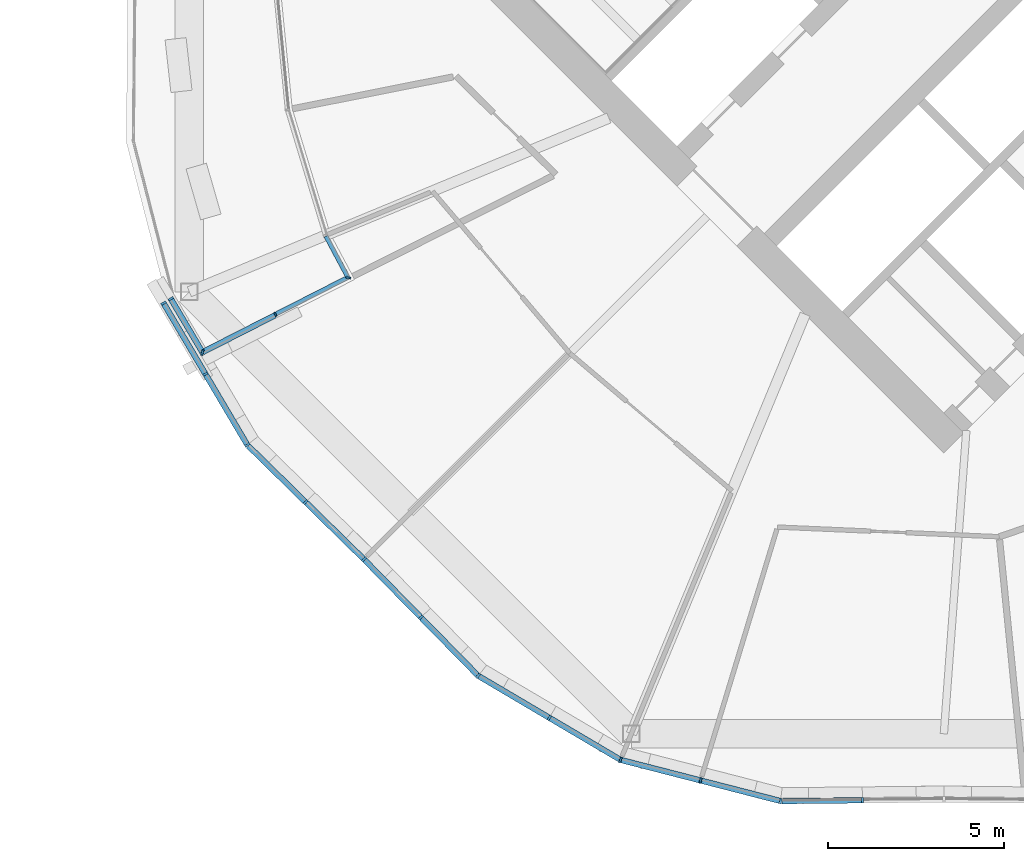
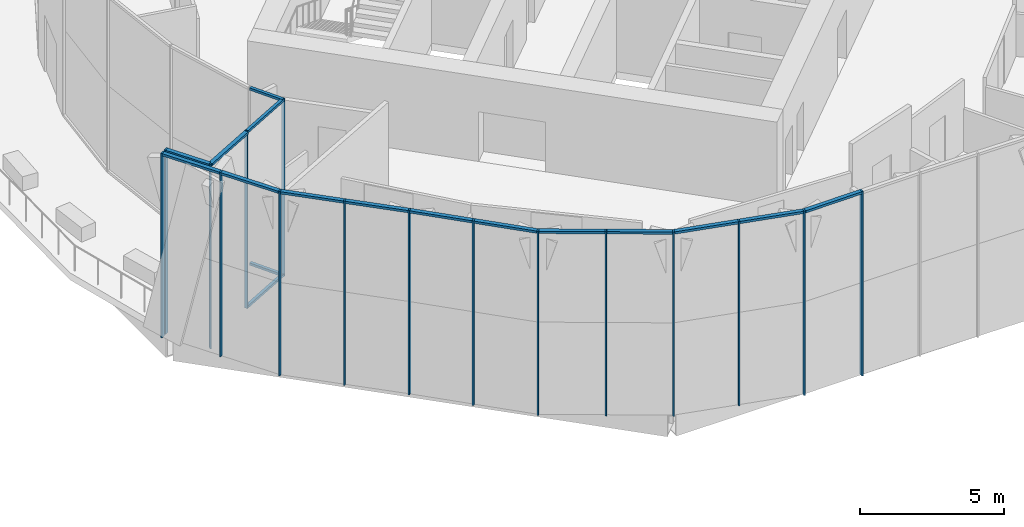
# One storey, part 9 of 31: 33 members, 4 elements without a shape of their own.
"""IFC4 building model written with IfcOpenShell, lengths in metres."""

from ifc_helpers import new_model, si_unit, direction, frame, origin, origin_2d, place, context, subcontext, project, spatial, rectangle, extrude, material, material_profile, profile_set, type_object, element, aggregate, save


model = new_model("IFC4")

# Units and contexts
model_context = context("Model", 3, precision=1e-05, world=origin(), true_north=direction((0.0, 1.0)))
body_context = subcontext(model_context, "Body", "Model", "MODEL_VIEW")
ifc_project = project(units=[si_unit("LENGTHUNIT", "METRE"), si_unit("AREAUNIT", "SQUARE_METRE"), si_unit("VOLUMEUNIT", "CUBIC_METRE"), si_unit("PLANEANGLEUNIT", "RADIAN"), si_unit("MASSUNIT", "GRAM", prefix="KILO")], contexts=[model_context])

# Site, building, storey
site_placement = place(None, origin())
site = spatial("IfcSite", under=ifc_project, at=site_placement, CompositionType="ELEMENT")
building_placement = place(site_placement, origin())
building = spatial("IfcBuilding", under=site, at=building_placement, Name="Ogive Gate Towers", CompositionType="ELEMENT")
storey_placement = place(building_placement, frame((0.0, 0.0, 107.39990234375)))
storey = spatial("IfcBuildingStorey", under=building, at=storey_placement, Name="L25", CompositionType="ELEMENT", Elevation=107.39990234375)

# Curtain wall, members
ifc_material = material(Name="Pale metal aluminium", Category="aluminium")
curtain_wall_type_1 = type_object("IfcCurtainWallType", Name="Sky garden glazing", PredefinedType="NOTDEFINED", material=ifc_material)
curtain_wall_1_placement = place(storey_placement, origin())
curtain_wall_1 = element("IfcCurtainWall", 1, at=curtain_wall_1_placement, inside=storey, type_object=curtain_wall_type_1, Name="CW4 T2 ECW02", PredefinedType="NOTDEFINED")
ifc_material_profile_1 = material_profile(ifc_material, rectangle(XDim=0.1201171875, YDim=0.050048828125, at=origin_2d()), Name="50 x 120 aluminium box")
ifc_profile_set_1 = profile_set([ifc_material_profile_1], Name="Pale metal aluminium")
member_type_1 = type_object("IfcMemberType", Name="Sky garden glazing mullion 50 x 120", PredefinedType="MULLION", material=ifc_profile_set_1)
member_1_placement = place(storey_placement, frame((17.042236328125, -9.502197265625, 0.0), z_axis=(0.0, 0.0, 1.0), x_axis=(0.45399049974, -0.891006524188, 0.0)))
member_1 = element("IfcMember", 2, at=member_1_placement, type_object=member_type_1, Name="CW4 mullion", PredefinedType="MULLION", context=body_context, shape_type="SweptSolid", body=[
    extrude(rectangle(XDim=0.1201171875, YDim=0.050048828125, at=origin_2d()), origin(), (0.0, 0.0, 1.0), 7.5),
])
member_2_placement = place(storey_placement, frame((19.11669921875, -8.458740234375, 0.0), z_axis=(0.0, 0.0, 1.0), x_axis=(0.954047017443, -0.299656951377, 0.0)))
member_2 = element("IfcMember", 3, at=member_2_placement, type_object=member_type_1, Name="CW4 mullion", PredefinedType="MULLION", context=body_context, shape_type="SweptSolid", body=[
    extrude(rectangle(XDim=0.1201171875, YDim=0.050048828125, at=origin_2d()), origin(), (0.0, 0.0, 1.0), 7.5),
])
ifc_material_profile_2 = material_profile(ifc_material, rectangle(XDim=0.1201171875, YDim=0.10009765625, at=origin_2d()), Name="100 x 120 aluminium box")
ifc_profile_set_2 = profile_set([ifc_material_profile_2], Name="Pale metal aluminium")
member_type_2 = type_object("IfcMemberType", Name="Sky garden glazing transom 100 x 120", PredefinedType="USERDEFINED", material=ifc_profile_set_2)
member_3_placement = place(storey_placement, frame((17.064697265625, -9.490966796875, 7.4501953125), z_axis=(0.89100547993, 0.453992549207, 0.0), x_axis=(-0.453992549207, 0.89100547993, 0.0)))
member_3 = element("IfcMember", 4, at=member_3_placement, type_object=member_type_2, Name="CW4 transom", ObjectType="TRANSOM", PredefinedType="USERDEFINED", context=body_context, shape_type="SweptSolid", body=[
    extrude(rectangle(XDim=0.1201171875, YDim=0.10009765625, at=origin_2d()), origin(), (0.0, 0.0, 1.0), 2.300537109375),
])
member_4_placement = place(storey_placement, frame((17.064697265625, -9.490966796875, 0.050048828125), z_axis=(0.89100547993, 0.453992549207, 0.0), x_axis=(-0.453992549207, 0.89100547993, 0.0)))
member_4 = element("IfcMember", 5, at=member_4_placement, type_object=member_type_2, Name="CW4 transom", ObjectType="TRANSOM", PredefinedType="USERDEFINED", context=body_context, shape_type="SweptSolid", body=[
    extrude(rectangle(XDim=0.1201171875, YDim=0.10009765625, at=origin_2d()), origin(), (0.0, 0.0, 1.0), 2.300537109375),
])
member_5_placement = place(storey_placement, frame((19.107666015625, -8.467529296875, 7.4501953125), z_axis=(-0.471384621704, 0.881927739909, 0.0), x_axis=(-0.881927739909, -0.471384621704, 0.0)))
member_5 = element("IfcMember", 6, at=member_5_placement, type_object=member_type_2, Name="CW4 transom", ObjectType="TRANSOM", PredefinedType="USERDEFINED", context=body_context, shape_type="SweptSolid", body=[
    extrude(rectangle(XDim=0.1201171875, YDim=0.10009765625, at=origin_2d()), origin(), (0.0, 0.0, 1.0), 1.336181640625),
])
member_6_placement = place(storey_placement, frame((19.107666015625, -8.467529296875, 0.050048828125), z_axis=(-0.471384621704, 0.881927739909, 0.0), x_axis=(-0.881927739909, -0.471384621704, 0.0)))
member_6 = element("IfcMember", 7, at=member_6_placement, type_object=member_type_2, Name="CW4 transom", ObjectType="TRANSOM", PredefinedType="USERDEFINED", context=body_context, shape_type="SweptSolid", body=[
    extrude(rectangle(XDim=0.1201171875, YDim=0.10009765625, at=origin_2d()), origin(), (0.0, 0.0, 1.0), 1.336181640625),
])
aggregate(curtain_wall_1, [member_1, member_2, member_3, member_4, member_5, member_6])

curtain_wall_type_2 = type_object("IfcCurtainWallType", Name="Tower unitised wall, low zone", PredefinedType="NOTDEFINED", material=ifc_material)
curtain_wall_2_placement = place(storey_placement, origin())
curtain_wall_2 = element("IfcCurtainWall", 8, at=curtain_wall_2_placement, inside=storey, type_object=curtain_wall_type_2, Name="CW1 T2 ECW07", PredefinedType="NOTDEFINED")
ifc_material_profile_3 = material_profile(ifc_material, rectangle(XDim=0.159912109375, YDim=0.06005859375, at=origin_2d()), Name="60 x 160 aluminium box")
ifc_profile_set_3 = profile_set([ifc_material_profile_3], Name="Pale metal aluminium")
member_type_3 = type_object("IfcMemberType", Name="Tower unitised wall, low zone mullion 60 x 160", PredefinedType="MULLION", material=ifc_profile_set_3)
member_7_placement = place(storey_placement, frame((19.552734375, -16.447509765625, -0.2998046875), z_axis=(0.0, 0.0, 1.0), x_axis=(0.700062268192, 0.714081802495, 0.0)))
member_7 = element("IfcMember", 9, at=member_7_placement, type_object=member_type_3, Name="CW1 mullion", PredefinedType="MULLION", context=body_context, shape_type="SweptSolid", body=[
    extrude(rectangle(XDim=0.159912109375, YDim=0.06005859375, at=origin_2d()), origin(), (0.0, 0.0, 1.0), 7.7998046875),
])
member_8_placement = place(storey_placement, frame((17.901611328125, -14.828857421875, -0.2998046875), z_axis=(0.0, 0.0, 1.0), x_axis=(0.700062268192, 0.714081802495, 0.0)))
member_8 = element("IfcMember", 10, at=member_8_placement, type_object=member_type_3, Name="CW1 mullion", PredefinedType="MULLION", context=body_context, shape_type="SweptSolid", body=[
    extrude(rectangle(XDim=0.159912109375, YDim=0.06005859375, at=origin_2d()), origin(), (0.0, 0.0, 1.0), 7.7998046875),
])
member_9_placement = place(storey_placement, frame((16.2490234375, -13.208251953125, -0.2998046875), z_axis=(0.0, 0.0, 1.0), x_axis=(0.787236468595, 0.616651232476, 0.0)))
member_9 = element("IfcMember", 11, at=member_9_placement, type_object=member_type_3, Name="CW1 mullion", PredefinedType="MULLION", context=body_context, shape_type="SweptSolid", body=[
    extrude(rectangle(XDim=0.159912109375, YDim=0.06005859375, at=origin_2d()), origin(), (0.0, 0.0, 1.0), 7.7998046875),
])
member_10_placement = place(storey_placement, frame((15.059326171875, -11.1953125, -0.2998046875), z_axis=(0.0, 0.0, 1.0), x_axis=(0.860972934041, 0.508650771011, 0.0)))
member_10 = element("IfcMember", 12, at=member_10_placement, type_object=member_type_3, Name="CW1 mullion", PredefinedType="MULLION", context=body_context, shape_type="SweptSolid", body=[
    extrude(rectangle(XDim=0.159912109375, YDim=0.06005859375, at=origin_2d()), origin(), (0.0, 0.0, 1.0), 7.7998046875),
])
member_11_placement = place(storey_placement, frame((13.871337890625, -9.18408203125, -0.2998046875), z_axis=(0.0, 0.0, 1.0), x_axis=(0.86098181154, 0.508635744121, 0.0)))
member_11 = element("IfcMember", 13, at=member_11_placement, type_object=member_type_3, Name="CW1 mullion", PredefinedType="MULLION", context=body_context, shape_type="SweptSolid", body=[
    extrude(rectangle(XDim=0.159912109375, YDim=0.06005859375, at=origin_2d()), origin(), (0.0, 0.0, 1.0), 7.7998046875),
])

curtain_wall_3_placement = place(storey_placement, origin())
curtain_wall_3 = element("IfcCurtainWall", 14, at=curtain_wall_3_placement, inside=storey, type_object=curtain_wall_type_2, Name="CW1 T2 ECW07b", PredefinedType="NOTDEFINED")
member_12_placement = place(storey_placement, frame((14.077880859375, -9.06201171875, -0.2998046875), z_axis=(0.0, 0.0, 1.0), x_axis=(-0.860972934041, -0.508650771011, 0.0)))
member_12 = element("IfcMember", 15, at=member_12_placement, type_object=member_type_3, Name="CW1 mullion", PredefinedType="MULLION", context=body_context, shape_type="SweptSolid", body=[
    extrude(rectangle(XDim=0.159912109375, YDim=0.06005859375, at=origin_2d()), origin(), (0.0, 0.0, 1.0), 7.7998046875),
])
member_13_placement = place(storey_placement, frame((14.971923828125, -10.585693359375, -0.2998046875), z_axis=(0.0, 0.0, 1.0), x_axis=(-0.279192223358, -0.960235232855, 0.0)))
member_13 = element("IfcMember", 16, at=member_13_placement, type_object=member_type_3, Name="CW1 mullion", PredefinedType="MULLION", context=body_context, shape_type="SweptSolid", body=[
    extrude(rectangle(XDim=0.159912109375, YDim=0.06005859375, at=origin_2d()), origin(), (0.0, 0.0, 1.0), 7.7998046875),
])

curtain_wall_4_placement = place(storey_placement, origin())
curtain_wall_4 = element("IfcCurtainWall", 17, at=curtain_wall_4_placement, inside=storey, type_object=curtain_wall_type_2, Name="CW1 T2 ECW08", PredefinedType="NOTDEFINED")
member_14_placement = place(storey_placement, frame((33.68798828125, -23.282958984375, -0.2998046875), z_axis=(0.0, 0.0, 1.0), x_axis=(-0.009930760208, 0.999950688785, 0.0)))
member_14 = element("IfcMember", 18, at=member_14_placement, type_object=member_type_3, Name="CW1 mullion", PredefinedType="MULLION", context=body_context, shape_type="SweptSolid", body=[
    extrude(rectangle(XDim=0.159912109375, YDim=0.06005859375, at=origin_2d()), origin(), (0.0, 0.0, 1.0), 7.7998046875),
])
member_15_placement = place(storey_placement, frame((31.37353515625, -23.305908203125, -0.2998046875), z_axis=(0.0, 0.0, 1.0), x_axis=(0.120639303069, 0.99269640805, 0.0)))
member_15 = element("IfcMember", 19, at=member_15_placement, type_object=member_type_3, Name="CW1 mullion", PredefinedType="MULLION", context=body_context, shape_type="SweptSolid", body=[
    extrude(rectangle(XDim=0.159912109375, YDim=0.06005859375, at=origin_2d()), origin(), (0.0, 0.0, 1.0), 7.7998046875),
])
member_16_placement = place(storey_placement, frame((29.10205078125, -22.7216796875, -0.2998046875), z_axis=(0.0, 0.0, 1.0), x_axis=(0.249129390641, 0.968470209515, 0.0)))
member_16 = element("IfcMember", 20, at=member_16_placement, type_object=member_type_3, Name="CW1 mullion", PredefinedType="MULLION", context=body_context, shape_type="SweptSolid", body=[
    extrude(rectangle(XDim=0.159912109375, YDim=0.06005859375, at=origin_2d()), origin(), (0.0, 0.0, 1.0), 7.7998046875),
])
member_17_placement = place(storey_placement, frame((26.83056640625, -22.13720703125, -0.2998046875), z_axis=(0.0, 0.0, 1.0), x_axis=(0.382667307567, 0.923886211456, 0.0)))
member_17 = element("IfcMember", 21, at=member_17_placement, type_object=member_type_3, Name="CW1 mullion", PredefinedType="MULLION", context=body_context, shape_type="SweptSolid", body=[
    extrude(rectangle(XDim=0.159912109375, YDim=0.06005859375, at=origin_2d()), origin(), (0.0, 0.0, 1.0), 7.7998046875),
])
member_18_placement = place(storey_placement, frame((24.810791015625, -20.944091796875, -0.2998046875), z_axis=(0.0, 0.0, 1.0), x_axis=(0.508650771011, 0.860972934041, 0.0)))
member_18 = element("IfcMember", 22, at=member_18_placement, type_object=member_type_3, Name="CW1 mullion", PredefinedType="MULLION", context=body_context, shape_type="SweptSolid", body=[
    extrude(rectangle(XDim=0.159912109375, YDim=0.06005859375, at=origin_2d()), origin(), (0.0, 0.0, 1.0), 7.7998046875),
])
member_19_placement = place(storey_placement, frame((22.791748046875, -19.7509765625, -0.2998046875), z_axis=(0.0, 0.0, 1.0), x_axis=(0.616651232476, 0.787236468595, 0.0)))
member_19 = element("IfcMember", 23, at=member_19_placement, type_object=member_type_3, Name="CW1 mullion", PredefinedType="MULLION", context=body_context, shape_type="SweptSolid", body=[
    extrude(rectangle(XDim=0.159912109375, YDim=0.06005859375, at=origin_2d()), origin(), (0.0, 0.0, 1.0), 7.7998046875),
])
member_20_placement = place(storey_placement, frame((21.171142578125, -18.098388671875, -0.2998046875), z_axis=(0.0, 0.0, 1.0), x_axis=(0.714081802495, 0.700062268192, 0.0)))
member_20 = element("IfcMember", 24, at=member_20_placement, type_object=member_type_3, Name="CW1 mullion", PredefinedType="MULLION", context=body_context, shape_type="SweptSolid", body=[
    extrude(rectangle(XDim=0.159912109375, YDim=0.06005859375, at=origin_2d()), origin(), (0.0, 0.0, 1.0), 7.7998046875),
])

# Member
ifc_material_profile_4 = material_profile(ifc_material, rectangle(XDim=0.159912109375, YDim=0.10009765625, at=origin_2d()), Name="100 x 160 aluminium box")
ifc_profile_set_4 = profile_set([ifc_material_profile_4], Name="Pale metal aluminium")
member_type_4 = type_object("IfcMemberType", Name="Tower unitised wall, low zone transom 100 x 160", PredefinedType="USERDEFINED", material=ifc_profile_set_4)
member_21_placement = place(storey_placement, frame((19.531494140625, -16.426513671875, 7.4501953125), z_axis=(-0.714117462879, 0.700025891815, 0.0), x_axis=(-0.700025891815, -0.714117462879, 0.0)))
member_21 = element("IfcMember", 25, at=member_21_placement, type_object=member_type_4, Name="CW1 transom", ObjectType="TRANSOM", PredefinedType="USERDEFINED", context=body_context, shape_type="SweptSolid", body=[
    extrude(rectangle(XDim=0.159912109375, YDim=0.10009765625, at=origin_2d()), origin(), (0.0, 0.0, 1.0), 2.252197265625),
])

member_22_placement = place(storey_placement, frame((17.88037109375, -14.807861328125, 7.4501953125), z_axis=(-0.714064338399, 0.700080081582, 0.0), x_axis=(-0.700080081582, -0.714064338399, 0.0)))
member_22 = element("IfcMember", 26, at=member_22_placement, type_object=member_type_4, Name="CW1 transom", ObjectType="TRANSOM", PredefinedType="USERDEFINED", context=body_context, shape_type="SweptSolid", body=[
    extrude(rectangle(XDim=0.159912109375, YDim=0.10009765625, at=origin_2d()), origin(), (0.0, 0.0, 1.0), 2.252197265625),
])

member_23_placement = place(storey_placement, frame((16.232177734375, -13.18017578125, 7.4501953125), z_axis=(-0.508646174896, 0.860975649344, 0.0), x_axis=(-0.860975649344, -0.508646174896, 0.0)))
member_23 = element("IfcMember", 27, at=member_23_placement, type_object=member_type_4, Name="CW1 transom", ObjectType="TRANSOM", PredefinedType="USERDEFINED", context=body_context, shape_type="SweptSolid", body=[
    extrude(rectangle(XDim=0.159912109375, YDim=0.10009765625, at=origin_2d()), origin(), (0.0, 0.0, 1.0), 2.275634765625),
])

member_24_placement = place(storey_placement, frame((15.044189453125, -11.169189453125, 7.4501953125), z_axis=(-0.508646174896, 0.860975649344, 0.0), x_axis=(-0.860975649344, -0.508646174896, 0.0)))
member_24 = element("IfcMember", 28, at=member_24_placement, type_object=member_type_4, Name="CW1 transom", ObjectType="TRANSOM", PredefinedType="USERDEFINED", context=body_context, shape_type="SweptSolid", body=[
    extrude(rectangle(XDim=0.159912109375, YDim=0.10009765625, at=origin_2d()), origin(), (0.0, 0.0, 1.0), 2.275634765625),
])

aggregate(curtain_wall_2, [member_7, member_8, member_21, member_9, member_22, member_10, member_23, member_11, member_24])

member_25_placement = place(storey_placement, frame((14.09326171875, -9.087890625, 7.4501953125), z_axis=(0.50861934102, -0.860991501666, 0.0), x_axis=(0.860991501666, 0.50861934102, 0.0)))
member_25 = element("IfcMember", 29, at=member_25_placement, type_object=member_type_4, Name="CW1 transom", ObjectType="TRANSOM", PredefinedType="USERDEFINED", context=body_context, shape_type="SweptSolid", body=[
    extrude(rectangle(XDim=0.159912109375, YDim=0.10009765625, at=origin_2d()), origin(), (0.0, 0.0, 1.0), 1.720458984375),
])

member_26_placement = place(storey_placement, frame((14.98388671875, -10.573486328125, 7.4501953125), z_axis=(0.891011837637, 0.453980071359, 0.0), x_axis=(-0.453980071359, 0.891011837637, 0.0)))
member_26 = element("IfcMember", 30, at=member_26_placement, type_object=member_type_4, Name="CW1 transom", ObjectType="TRANSOM", PredefinedType="USERDEFINED", context=body_context, shape_type="SweptSolid", body=[
    extrude(rectangle(XDim=0.159912109375, YDim=0.10009765625, at=origin_2d()), origin(), (0.0, 0.0, 1.0), 2.290283203125),
])

aggregate(curtain_wall_3, [member_12, member_13, member_25, member_26])

member_27_placement = place(storey_placement, frame((33.658203125, -23.283203125, 7.4501953125), z_axis=(-0.999950274345, -0.00997240382, 0.0), x_axis=(0.00997240382, -0.999950274345, 0.0)))
member_27 = element("IfcMember", 31, at=member_27_placement, type_object=member_type_4, Name="CW1 transom", ObjectType="TRANSOM", PredefinedType="USERDEFINED", context=body_context, shape_type="SweptSolid", body=[
    extrude(rectangle(XDim=0.159912109375, YDim=0.10009765625, at=origin_2d()), origin(), (0.0, 0.0, 1.0), 2.252197265625),
])

member_28_placement = place(storey_placement, frame((31.341796875, -23.2978515625, 7.4501953125), z_axis=(-0.968452382745, 0.249198680485, 0.0), x_axis=(-0.249198680485, -0.968452382745, 0.0)))
member_28 = element("IfcMember", 32, at=member_28_placement, type_object=member_type_4, Name="CW1 transom", ObjectType="TRANSOM", PredefinedType="USERDEFINED", context=body_context, shape_type="SweptSolid", body=[
    extrude(rectangle(XDim=0.159912109375, YDim=0.10009765625, at=origin_2d()), origin(), (0.0, 0.0, 1.0), 2.28271484375),
])

member_29_placement = place(storey_placement, frame((29.072998046875, -22.714111328125, 7.4501953125), z_axis=(-0.968478189772, 0.249098365983, 0.0), x_axis=(-0.249098365983, -0.968478189772, 0.0)))
member_29 = element("IfcMember", 33, at=member_29_placement, type_object=member_type_4, Name="CW1 transom", ObjectType="TRANSOM", PredefinedType="USERDEFINED", context=body_context, shape_type="SweptSolid", body=[
    extrude(rectangle(XDim=0.159912109375, YDim=0.10009765625, at=origin_2d()), origin(), (0.0, 0.0, 1.0), 2.28271484375),
])

member_30_placement = place(storey_placement, frame((26.80224609375, -22.12060546875, 7.4501953125), z_axis=(-0.860964851658, 0.508664451489, 0.0), x_axis=(-0.508664451489, -0.860964851658, 0.0)))
member_30 = element("IfcMember", 34, at=member_30_placement, type_object=member_type_4, Name="CW1 transom", ObjectType="TRANSOM", PredefinedType="USERDEFINED", context=body_context, shape_type="SweptSolid", body=[
    extrude(rectangle(XDim=0.159912109375, YDim=0.10009765625, at=origin_2d()), origin(), (0.0, 0.0, 1.0), 2.28271484375),
])

member_31_placement = place(storey_placement, frame((24.78515625, -20.928955078125, 7.4501953125), z_axis=(-0.860964851658, 0.508664451489, 0.0), x_axis=(-0.508664451489, -0.860964851658, 0.0)))
member_31 = element("IfcMember", 35, at=member_31_placement, type_object=member_type_4, Name="CW1 transom", ObjectType="TRANSOM", PredefinedType="USERDEFINED", context=body_context, shape_type="SweptSolid", body=[
    extrude(rectangle(XDim=0.159912109375, YDim=0.10009765625, at=origin_2d()), origin(), (0.0, 0.0, 1.0), 2.28271484375),
])

member_32_placement = place(storey_placement, frame((22.768798828125, -19.727783203125, 7.4501953125), z_axis=(-0.700080081582, 0.714064338399, 0.0), x_axis=(-0.714064338399, -0.700080081582, 0.0)))
member_32 = element("IfcMember", 36, at=member_32_placement, type_object=member_type_4, Name="CW1 transom", ObjectType="TRANSOM", PredefinedType="USERDEFINED", context=body_context, shape_type="SweptSolid", body=[
    extrude(rectangle(XDim=0.159912109375, YDim=0.10009765625, at=origin_2d()), origin(), (0.0, 0.0, 1.0), 2.252197265625),
])

member_33_placement = place(storey_placement, frame((21.150146484375, -18.076904296875, 7.4501953125), z_axis=(-0.700025891815, 0.714117462879, 0.0), x_axis=(-0.714117462879, -0.700025891815, 0.0)))
member_33 = element("IfcMember", 37, at=member_33_placement, type_object=member_type_4, Name="CW1 transom", ObjectType="TRANSOM", PredefinedType="USERDEFINED", context=body_context, shape_type="SweptSolid", body=[
    extrude(rectangle(XDim=0.159912109375, YDim=0.10009765625, at=origin_2d()), origin(), (0.0, 0.0, 1.0), 2.252197265625),
])

aggregate(curtain_wall_4, [member_14, member_15, member_27, member_16, member_28, member_17, member_29, member_18, member_30, member_19, member_31, member_20, member_32, member_33])

save(model, "model.ifc")
